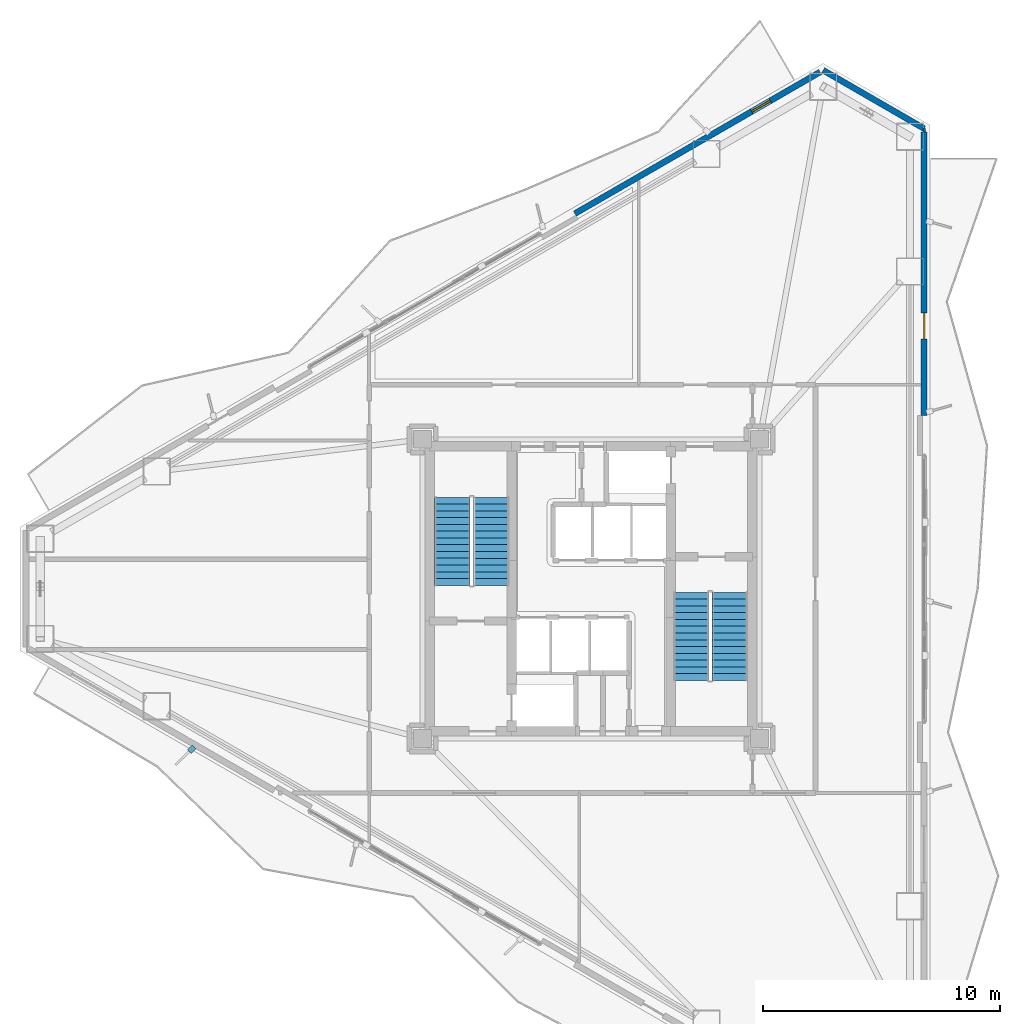
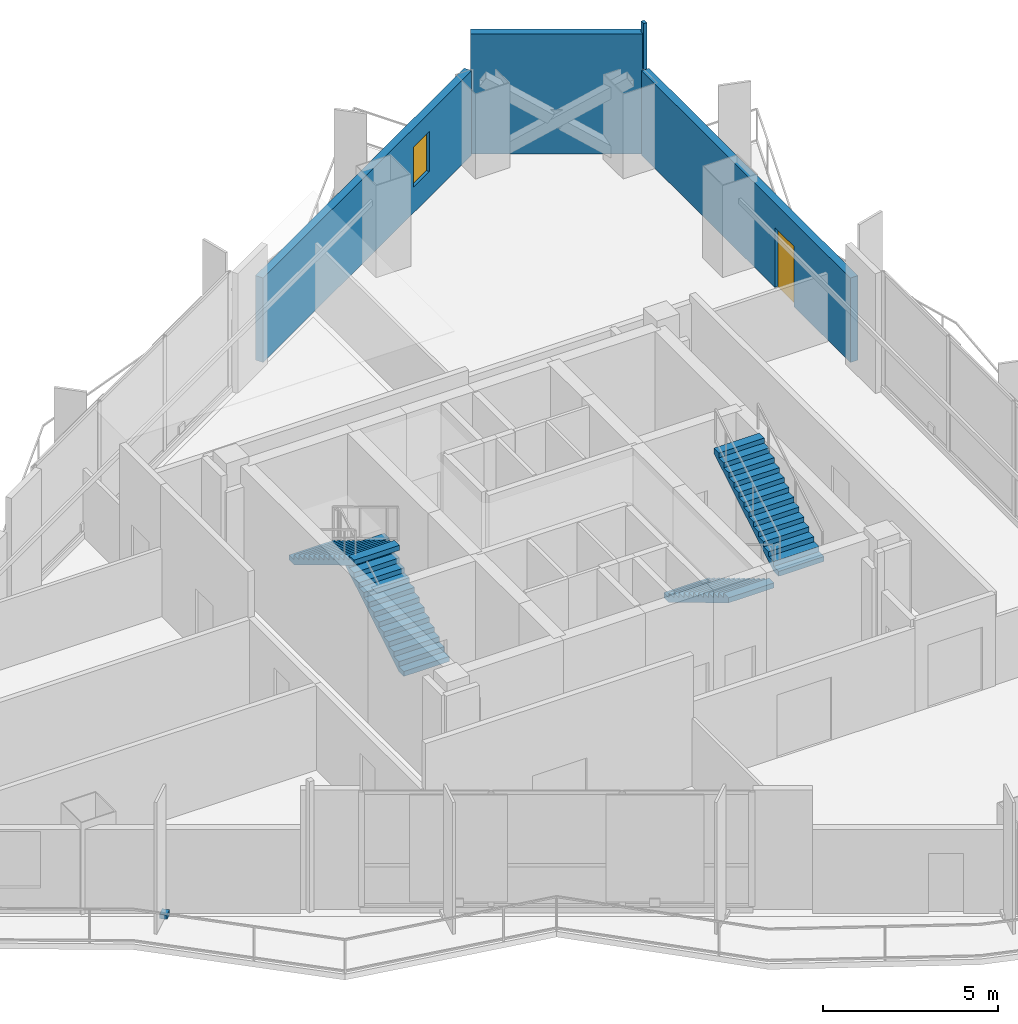
# One storey, part 17 of 20: 4 stair flights, 4 walls, 1 discrete accessory, 1 door, 1 window, 2 openings, 2 elements without a shape of their own.
"""IFC4 building model written with IfcOpenShell, lengths in metres."""

import ifcopenshell
import ifcopenshell.guid

model = None  # the IFC model being written
_history = None  # IfcOwnerHistory: only IFC2X3 demands one
_inside = {}  # id of a spatial element -> (the spatial element, [elements in it])
_under = {}  # id of a project, library or spatial element -> (it, [spatial elements below it])
_declared = {}  # id of a project -> (the project, [libraries it declares])
_typed = {}  # id of a type object -> (the type object, [elements of that type])
_made_of = {}  # id of a material, layer set ... -> (it, [elements and type objects made of it])


def new_model(schema):
    """Start an empty IFC model of exactly this schema.

    Asked for "IFC4X3", IfcOpenShell would pick the latest addendum, in which some entities
    have other attributes; the version numbers below select the first issue.
    IFC2X3 requires an IfcOwnerHistory on every rooted entity: one is made here for all.
    """
    global model, _history
    if schema == "IFC4X3":
        model = ifcopenshell.file(schema_version=(4, 3, 0, 0))
    else:
        model = ifcopenshell.file(schema=schema)
    _inside.clear()
    _under.clear()
    _declared.clear()
    _typed.clear()
    _made_of.clear()
    _history = None
    if model.schema == "IFC2X3":
        org = make("IfcOrganization", Name="unknown")
        user = make(
            "IfcPersonAndOrganization",
            ThePerson=make("IfcPerson", FamilyName="unknown"),
            TheOrganization=org,
        )
        app = make(
            "IfcApplication",
            ApplicationDeveloper=org,
            Version="unknown",
            ApplicationFullName="unknown",
            ApplicationIdentifier="unknown",
        )
        _history = make(
            "IfcOwnerHistory",
            OwningUser=user,
            OwningApplication=app,
            ChangeAction="ADDED",
            CreationDate=0,
        )
    return model


def make(cls, **values):
    """One entity of the class cls with the attributes given. An attribute that is None is left unset."""
    return model.create_entity(
        cls, **{name: value for name, value in values.items() if value is not None}
    )


def rooted(cls, **values):
    """An entity with a GlobalId (a new one), such as an element, a storey or a relation."""
    return make(cls, GlobalId=ifcopenshell.guid.new(), OwnerHistory=_history, **values)


def si_unit(unit_type, name, prefix=None):
    """IfcSIUnit, for example si_unit("LENGTHUNIT", "METRE", prefix="MILLI")."""
    return make("IfcSIUnit", UnitType=unit_type, Prefix=prefix, Name=name)


def assignment(units):
    """IfcUnitAssignment: the units of a project."""
    return None if units is None else make("IfcUnitAssignment", Units=units)


def point(xyz):
    """IfcCartesianPoint."""
    return None if xyz is None else make("IfcCartesianPoint", Coordinates=xyz)


def direction(xyz):
    """IfcDirection."""
    return None if xyz is None else make("IfcDirection", DirectionRatios=xyz)


def frame(location, z_axis=None, x_axis=None):
    """IfcAxis2Placement3D, a coordinate frame: its origin and axes. An axis left out is left unset."""
    return make(
        "IfcAxis2Placement3D",
        Location=point(location),
        Axis=direction(z_axis),
        RefDirection=direction(x_axis),
    )


def frame_2d(location, x_axis=None):
    """IfcAxis2Placement2D, a coordinate frame in the plane: its origin and x axis."""
    return make(
        "IfcAxis2Placement2D", Location=point(location), RefDirection=direction(x_axis)
    )


def origin():
    """The frame at (0, 0, 0) with its axes left unset."""
    return frame((0.0, 0.0, 0.0))


def origin_2d():
    """The frame at (0, 0) in the plane with its x axis left unset."""
    return frame_2d((0.0, 0.0))


def place(relative_to, where):
    """IfcLocalPlacement: puts the frame where relative to a parent placement (None: the world)."""
    return make(
        "IfcLocalPlacement", PlacementRelTo=relative_to, RelativePlacement=where
    )


def context(
    kind, dimensions, precision=None, world=None, true_north=None, identifier=None
):
    """IfcGeometricRepresentationContext, for example the 3D "Model" context."""
    return make(
        "IfcGeometricRepresentationContext",
        ContextIdentifier=identifier,
        ContextType=kind,
        CoordinateSpaceDimension=dimensions,
        Precision=precision,
        WorldCoordinateSystem=world,
        TrueNorth=true_north,
    )


def subcontext(parent, identifier, kind, view, scale=None):
    """IfcGeometricRepresentationSubContext, for example "Body" below "Model"."""
    return make(
        "IfcGeometricRepresentationSubContext",
        ContextIdentifier=identifier,
        ContextType=kind,
        ParentContext=parent,
        TargetScale=scale,
        TargetView=view,
    )


def project(units=None, contexts=None):
    """IfcProject with its units and contexts."""
    return rooted(
        "IfcProject",
        Name="project",
        RepresentationContexts=contexts,
        UnitsInContext=assignment(units),
    )


def spatial(cls, under=None, at=None, **own):
    """A site, building, storey or space (cls), placed at a placement, below another one or the project."""
    s = rooted(cls, ObjectPlacement=at, **own)
    if under is not None:
        _under.setdefault(under.id(), (under, []))[1].append(s)
    return s


def polyline(points):
    """IfcPolyline through the points."""
    return make("IfcPolyline", Points=[point(p) for p in points])


def profile(cls, at=None, kind="AREA", **sizes):
    """A parametric profile (cls). Its sizes go by their IFC names, for example OverallWidth=200.0."""
    return make(cls, ProfileType=kind, Position=at, **sizes)


def rectangle(**sizes):
    """IfcRectangleProfileDef."""
    return profile("IfcRectangleProfileDef", **sizes)


def outline(outer, holes=None, kind="AREA"):
    """IfcArbitraryClosedProfileDef: a profile drawn as a closed curve; with holes, ...WithVoids."""
    if holes is None:
        return make("IfcArbitraryClosedProfileDef", ProfileType=kind, OuterCurve=outer)
    return make(
        "IfcArbitraryProfileDefWithVoids",
        ProfileType=kind,
        OuterCurve=outer,
        InnerCurves=holes,
    )


def extrude(swept, where, along, depth):
    """IfcExtrudedAreaSolid: the profile swept, set in the frame where, extruded along a direction by depth."""
    return make(
        "IfcExtrudedAreaSolid",
        SweptArea=swept,
        Position=where,
        ExtrudedDirection=direction(along),
        Depth=depth,
    )


def shape(context_of_items, identifier, shape_type, items):
    """IfcShapeRepresentation: the items that make up one representation, for example the "Body"."""
    return make(
        "IfcShapeRepresentation",
        ContextOfItems=context_of_items,
        RepresentationIdentifier=identifier,
        RepresentationType=shape_type,
        Items=items,
    )


def material(Name=None, Category=None):
    """IfcMaterial."""
    return make("IfcMaterial", Name=Name, Category=Category)


def layer(
    of_material, thickness, ventilated=None, Name=None, Category=None, Priority=None
):
    """IfcMaterialLayer: one layer of a wall or slab, of a material (None: an air gap)."""
    return make(
        "IfcMaterialLayer",
        Material=of_material,
        LayerThickness=thickness,
        IsVentilated=ventilated,
        Name=Name,
        Category=Category,
        Priority=Priority,
    )


def layer_set(layers, Name=None):
    """IfcMaterialLayerSet."""
    return make("IfcMaterialLayerSet", MaterialLayers=layers, LayerSetName=Name)


def made_of(thing, what):
    """Note that an element or type object is made of a material, layer set ...; save() writes the relation."""
    if what is not None:
        _made_of.setdefault(what.id(), (what, []))[1].append(thing)
    return thing


def type_object(cls, material=None, **own):
    """A type object (cls), such as IfcWallType, which elements share."""
    return made_of(rooted(cls, **own), material)


def element(
    cls,
    number,
    at=None,
    inside=None,
    cuts=None,
    type_object=None,
    material=None,
    context=None,
    identifier="Body",
    shape_type=None,
    held_by="IfcProductDefinitionShape",
    body=None,
    shapes=None,
    **own,
):
    """One element of the class cls, such as IfcWall. Its Tag is "e" and its number.

    at: its placement. inside: the storey or other place that contains it. cuts: it is an
    opening in that element (IfcRelVoidsElement). A single representation is given by context,
    identifier, shape_type and body (its items); several are given by shapes. held_by: the class
    of the entity that holds the representations. save() writes the other relations.
    """
    e = rooted(cls, Tag="e%d" % number, ObjectPlacement=at, **own)
    if body is not None:
        shapes = [shape(context, identifier, shape_type, body)]
    if shapes is not None:
        e.Representation = make(held_by, Representations=shapes)
    if inside is not None:
        _inside.setdefault(inside.id(), (inside, []))[1].append(e)
    if cuts is not None:
        rooted(
            "IfcRelVoidsElement", RelatingBuildingElement=cuts, RelatedOpeningElement=e
        )
    if type_object is not None:
        _typed.setdefault(type_object.id(), (type_object, []))[1].append(e)
    return made_of(e, material)


def fill(opening, filler):
    """IfcRelFillsElement: the door or window that sits in an opening."""
    return rooted(
        "IfcRelFillsElement",
        RelatingOpeningElement=opening,
        RelatedBuildingElement=filler,
    )


def aggregate(whole, parts):
    """IfcRelAggregates: a whole, such as a stair, and the parts it consists of."""
    return rooted("IfcRelAggregates", RelatingObject=whole, RelatedObjects=parts)


def save(model, path):
    """Write the relations noted so far, then the file.

    IfcRelAggregates (storeys below a building ...), IfcRelContainedInSpatialStructure (elements
    in a storey), IfcRelDefinesByType, IfcRelAssociatesMaterial and IfcRelDeclares: one each for
    every whole, place, type object, material and project.
    """
    for whole, parts in _under.values():
        aggregate(whole, parts)
    for where, things in _inside.values():
        rooted(
            "IfcRelContainedInSpatialStructure",
            RelatedElements=things,
            RelatingStructure=where,
        )
    for kind, things in _typed.values():
        rooted("IfcRelDefinesByType", RelatedObjects=things, RelatingType=kind)
    for what, things in _made_of.values():
        rooted("IfcRelAssociatesMaterial", RelatedObjects=things, RelatingMaterial=what)
    for by, libraries in _declared.values():
        rooted("IfcRelDeclares", RelatingContext=by, RelatedDefinitions=libraries)
    model.write(path)


model = new_model("IFC4")

# Units and contexts
model_context = context("Model", 3, precision=1e-05, world=origin(), true_north=direction((0.0, 1.0)))
body_context = subcontext(model_context, "Body", "Model", "MODEL_VIEW")
ifc_project = project(units=[si_unit("LENGTHUNIT", "METRE"), si_unit("AREAUNIT", "SQUARE_METRE"), si_unit("VOLUMEUNIT", "CUBIC_METRE"), si_unit("PLANEANGLEUNIT", "RADIAN"), si_unit("MASSUNIT", "GRAM", prefix="KILO")], contexts=[model_context])

# Site, building, storey
site_placement = place(None, origin())
site = spatial("IfcSite", under=ifc_project, at=site_placement, CompositionType="ELEMENT")
building_placement = place(site_placement, origin())
building = spatial("IfcBuilding", under=site, at=building_placement, Name="Mersakhor Tower and Convention Hall", CompositionType="ELEMENT")
storey_placement = place(building_placement, frame((0.0, 0.0, 116.39990234375)))
storey = spatial("IfcBuildingStorey", under=building, at=storey_placement, Name="L32", CompositionType="ELEMENT", Elevation=116.39990234375)

# Wall
ifc_material_1 = material(Name="Precast concrete C40/50", Category="concrete")
ifc_layer_1 = layer(ifc_material_1, 0.25)
ifc_layer_set_1 = layer_set([ifc_layer_1], Name="Precast concrete C40/50")
wall_type_1 = type_object("IfcWallType", Name="WL-EXT-250", PredefinedType="SOLIDWALL", material=ifc_layer_set_1)
wall_1_placement = place(storey_placement, frame((38.77880859375, 48.6015625, 0.0), z_axis=(0.0, 0.0, 1.0), x_axis=(0.866011848704, -0.500023477353, 0.0)))
element("IfcWall", 1, at=wall_1_placement, inside=storey, type_object=wall_type_1, Name="L32 Chamfer Braced Spandrel Wall C1", PredefinedType="SOLIDWALL", context=body_context, shape_type="SweptSolid", body=[
    extrude(rectangle(XDim=4.914306640625, YDim=0.25, at=frame_2d((2.45703125, 0.0))), origin(), (0.0, 0.0, 1.0), 4.18017578125),
])

# Wall, opening, window
wall_2_placement = place(storey_placement, frame((28.3173828125, 42.561767578125, 0.0), z_axis=(0.0, 0.0, 1.0), x_axis=(0.866023023012, 0.500004123596, 0.0)))
wall_2 = element("IfcWall", 2, at=wall_2_placement, inside=storey, type_object=wall_type_1, Name="L32 Exterior Facade Wall F1-B3", PredefinedType="SOLIDWALL", context=body_context, shape_type="SweptSolid", body=[
    extrude(rectangle(XDim=11.9296875, YDim=0.25, at=frame_2d((5.96484375, 0.0))), origin(), (0.0, 0.0, 1.0), 2.945068359375),
])
opening_1_placement = place(wall_2_placement, frame((8.60302734375, 0.0, 0.89990234375)))
opening_1 = element("IfcOpeningElement", 3, at=opening_1_placement, cuts=wall_2, Name="Opening W-06", PredefinedType="OPENING", context=body_context, shape_type="SweptSolid", body=[
    extrude(rectangle(XDim=0.89990234375, YDim=1.39990234375, at=frame_2d((0.449951171875, 0.699951171875))), frame((0.0, 0.135009765625, 0.0), z_axis=(0.0, -1.0, 0.0), x_axis=(1.0, 0.0, 0.0)), (0.0, 0.0, 1.0), 0.27001953125),
])
ifc_material_2 = material(Name="Dark solar low-E glazed aluminium window", Category="aluminium")
window_type = type_object("IfcWindowType", Name="WN-STD-090x140", PartitioningType="SINGLE_PANEL", PredefinedType="WINDOW", material=ifc_material_2)
window_placement = place(opening_1_placement, origin())
window = element("IfcWindow", 4, at=window_placement, inside=storey, type_object=window_type, Name="L32 Facade Punched Window F1-B3", OverallHeight=1.39990234375, OverallWidth=0.89990234375, PartitioningType="SINGLE_PANEL", PredefinedType="WINDOW", context=body_context, shape_type="SweptSolid", body=[
    extrude(rectangle(XDim=0.89990234375, YDim=1.39990234375, at=frame_2d((0.449951171875, 0.699951171875))), frame((0.0, 0.030029296875, 0.0), z_axis=(0.0, -1.0, 0.0), x_axis=(1.0, 0.0, 0.0)), (0.0, 0.0, 1.0), 0.06005859375),
])
fill(opening_1, window)

# Wall, opening, door
wall_3_placement = place(storey_placement, frame((43.03466796875, 45.994384765625, 0.0), z_axis=(0.0, 0.0, 1.0), x_axis=(0.0, -1.0, 0.0)))
wall_3 = element("IfcWall", 5, at=wall_3_placement, inside=storey, type_object=wall_type_1, Name="L32 Exterior Facade Wall F2-B1", PredefinedType="SOLIDWALL", context=body_context, shape_type="SweptSolid", body=[
    extrude(rectangle(XDim=11.9296875, YDim=0.25, at=frame_2d((5.96484375, 0.0))), origin(), (0.0, 0.0, 1.0), 2.945068359375),
])
opening_2_placement = place(wall_3_placement, frame((7.615966796875, 0.0, 0.0)))
opening_2 = element("IfcOpeningElement", 6, at=opening_2_placement, cuts=wall_3, Name="Opening BD-02", PredefinedType="OPENING", context=body_context, shape_type="SweptSolid", body=[
    extrude(rectangle(XDim=1.10009765625, YDim=2.10009765625, at=frame_2d((0.550048828125, 1.050048828125))), frame((0.0, 0.135009765625, 0.0), z_axis=(0.0, -1.0, 0.0), x_axis=(1.0, 0.0, 0.0)), (0.0, 0.0, 1.0), 0.27001953125),
])
ifc_material_3 = material(Name="Thermally broken dark aluminium and safety glass", Category="aluminium")
door_type = type_object("IfcDoorType", Name="DR-BAL-110x210", OperationType="NOTDEFINED", PredefinedType="DOOR", material=ifc_material_3)
door_placement = place(opening_2_placement, origin())
door = element("IfcDoor", 7, at=door_placement, inside=storey, type_object=door_type, Name="L32 Balcony Terrace Door F2-B1", OperationType="SINGLE_SWING_RIGHT", OverallHeight=2.10009765625, OverallWidth=1.10009765625, PredefinedType="DOOR", context=body_context, shape_type="SweptSolid", body=[
    extrude(rectangle(XDim=1.10009765625, YDim=2.10009765625, at=frame_2d((0.550048828125, 1.050048828125))), frame((0.0, 0.02490234375, 0.0), z_axis=(0.0, -1.0, 0.0), x_axis=(1.0, 0.0, 0.0)), (0.0, 0.0, 1.0), 0.050048828125),
])
fill(opening_2, door)

# Wall
ifc_material_4 = material(Name="Lightweight gypsum partition", Category="other")
ifc_layer_2 = layer(ifc_material_4, 0.10009765625)
ifc_layer_set_2 = layer_set([ifc_layer_2], Name="Lightweight gypsum partition")
wall_type_2 = type_object("IfcWallType", Name="WL-PRT-100", PredefinedType="PARTITIONING", material=ifc_layer_set_2)
wall_4_placement = place(storey_placement, frame((43.034912109375, 46.14404296875, 0.0), z_axis=(0.0, 0.0, 1.0), x_axis=(0.0, -1.0, 0.0)))
element("IfcWall", 8, at=wall_4_placement, inside=storey, type_object=wall_type_2, Name="L32 Interior Partition Wall P-060", PredefinedType="PARTITIONING", context=body_context, shape_type="SweptSolid", body=[
    extrude(rectangle(XDim=0.149658203125, YDim=0.10009765625, at=frame_2d((0.07470703125, 0.0))), origin(), (0.0, 0.0, 1.0), 4.56005859375),
])

# Stair, stair flights
ifc_material_5 = material(Name="Concrete C45/55", Category="concrete")
stair_type = type_object("IfcStairType", Name="ST-TWR-28R", PredefinedType="HALF_TURN_STAIR", material=ifc_material_5)
stair_1_placement = place(storey_placement, origin())
stair_1 = element("IfcStair", 9, at=stair_1_placement, inside=storey, type_object=stair_type, Name="L32 Tower Protected Exit Stair ST-1", PredefinedType="HALF_TURN_STAIR")
ifc_material_6 = material(Name="Concrete C45/55", Category="concrete")
stair_flight_type = type_object("IfcStairFlightType", Name="SFL-TWR-28R", PredefinedType="STRAIGHT", material=ifc_material_6)
stair_flight_1_placement = place(storey_placement, frame((24.800048828125, 26.89990234375, 0.0), z_axis=(0.0, 0.0, 1.0), x_axis=(0.0, 1.0, 0.0)))
stair_flight_1 = element("IfcStairFlight", 10, at=stair_flight_1_placement, type_object=stair_flight_type, Name="ST-1 flight 1", NumberOfRisers=14, NumberOfTreads=13, PredefinedType="STRAIGHT", RiserHeight=0.171428571, TreadLength=0.285, context=body_context, shape_type="SweptSolid", body=[
    extrude(outline(polyline([(0.0, 0.0), (0.0, 0.17138671875), (0.284912109375, 0.17138671875), (0.284912109375, 0.3427734375), (0.570068359375, 0.3427734375), (0.570068359375, 0.514404296875), (0.85498046875, 0.514404296875), (0.85498046875, 0.685791015625), (1.139892578125, 0.685791015625), (1.139892578125, 0.857177734375), (1.425048828125, 0.857177734375), (1.425048828125, 1.028564453125), (1.7099609375, 1.028564453125), (1.7099609375, 1.199951171875), (1.9951171875, 1.199951171875), (1.9951171875, 1.371337890625), (2.280029296875, 1.371337890625), (2.280029296875, 1.54296875), (2.56494140625, 1.54296875), (2.56494140625, 1.71435546875), (2.85009765625, 1.71435546875), (2.85009765625, 1.8857421875), (3.135009765625, 1.8857421875), (3.135009765625, 2.05712890625), (3.419921875, 2.05712890625), (3.419921875, 2.228515625), (3.705078125, 2.228515625), (3.705078125, 2.39990234375), (3.705078125, 2.0537109375), (0.290771484375, 0.0), (0.0, 0.0)])), frame((0.0, 0.75, 0.0), z_axis=(0.0, -1.0, 0.0), x_axis=(1.0, 0.0, 0.0)), (0.0, 0.0, 1.0), 1.5),
])
stair_flight_2_placement = place(storey_placement, frame((23.14990234375, 30.60498046875, 2.400146484375), z_axis=(0.0, 0.0, 1.0), x_axis=(0.0, -1.0, 0.0)))
stair_flight_2 = element("IfcStairFlight", 11, at=stair_flight_2_placement, type_object=stair_flight_type, Name="ST-1 flight 2", NumberOfRisers=14, NumberOfTreads=13, PredefinedType="STRAIGHT", RiserHeight=0.171428571, TreadLength=0.285, context=body_context, shape_type="SweptSolid", body=[
    extrude(outline(polyline([(0.0, 0.0), (0.0, 0.17138671875), (0.284912109375, 0.17138671875), (0.284912109375, 0.3427734375), (0.570068359375, 0.3427734375), (0.570068359375, 0.514404296875), (0.85498046875, 0.514404296875), (0.85498046875, 0.685791015625), (1.139892578125, 0.685791015625), (1.139892578125, 0.857177734375), (1.425048828125, 0.857177734375), (1.425048828125, 1.028564453125), (1.7099609375, 1.028564453125), (1.7099609375, 1.199951171875), (1.9951171875, 1.199951171875), (1.9951171875, 1.371337890625), (2.280029296875, 1.371337890625), (2.280029296875, 1.54296875), (2.56494140625, 1.54296875), (2.56494140625, 1.71435546875), (2.85009765625, 1.71435546875), (2.85009765625, 1.8857421875), (3.135009765625, 1.8857421875), (3.135009765625, 2.05712890625), (3.419921875, 2.05712890625), (3.419921875, 2.228515625), (3.705078125, 2.228515625), (3.705078125, 2.39990234375), (3.705078125, 2.0537109375), (0.290771484375, 0.0), (0.0, 0.0)])), frame((0.0, 0.75, 0.0), z_axis=(0.0, -1.0, 0.0), x_axis=(1.0, 0.0, 0.0)), (0.0, 0.0, 1.0), 1.5),
])
aggregate(stair_1, [stair_flight_1, stair_flight_2])

stair_2_placement = place(storey_placement, origin())
stair_2 = element("IfcStair", 12, at=stair_2_placement, inside=storey, type_object=stair_type, Name="L32 Tower Protected Exit Stair ST-2", PredefinedType="HALF_TURN_STAIR")
stair_flight_3_placement = place(storey_placement, frame((33.199951171875, 26.60009765625, 0.0), z_axis=(0.0, 0.0, 1.0), x_axis=(0.0, -1.0, 0.0)))
stair_flight_3 = element("IfcStairFlight", 13, at=stair_flight_3_placement, type_object=stair_flight_type, Name="ST-2 flight 1", NumberOfRisers=14, NumberOfTreads=13, PredefinedType="STRAIGHT", RiserHeight=0.171428571, TreadLength=0.285, context=body_context, shape_type="SweptSolid", body=[
    extrude(outline(polyline([(0.0, 0.0), (0.0, 0.17138671875), (0.284912109375, 0.17138671875), (0.284912109375, 0.3427734375), (0.570068359375, 0.3427734375), (0.570068359375, 0.514404296875), (0.85498046875, 0.514404296875), (0.85498046875, 0.685791015625), (1.139892578125, 0.685791015625), (1.139892578125, 0.857177734375), (1.425048828125, 0.857177734375), (1.425048828125, 1.028564453125), (1.7099609375, 1.028564453125), (1.7099609375, 1.199951171875), (1.9951171875, 1.199951171875), (1.9951171875, 1.371337890625), (2.280029296875, 1.371337890625), (2.280029296875, 1.54296875), (2.56494140625, 1.54296875), (2.56494140625, 1.71435546875), (2.85009765625, 1.71435546875), (2.85009765625, 1.8857421875), (3.135009765625, 1.8857421875), (3.135009765625, 2.05712890625), (3.419921875, 2.05712890625), (3.419921875, 2.228515625), (3.705078125, 2.228515625), (3.705078125, 2.39990234375), (3.705078125, 2.0537109375), (0.290771484375, 0.0), (0.0, 0.0)])), frame((0.0, 0.75, 0.0), z_axis=(0.0, -1.0, 0.0), x_axis=(1.0, 0.0, 0.0)), (0.0, 0.0, 1.0), 1.5),
])
stair_flight_4_placement = place(storey_placement, frame((34.85009765625, 22.89501953125, 2.400146484375), z_axis=(0.0, 0.0, 1.0), x_axis=(0.0, 1.0, 0.0)))
stair_flight_4 = element("IfcStairFlight", 14, at=stair_flight_4_placement, type_object=stair_flight_type, Name="ST-2 flight 2", NumberOfRisers=14, NumberOfTreads=13, PredefinedType="STRAIGHT", RiserHeight=0.171428571, TreadLength=0.285, context=body_context, shape_type="SweptSolid", body=[
    extrude(outline(polyline([(0.0, 0.0), (0.0, 0.17138671875), (0.284912109375, 0.17138671875), (0.284912109375, 0.3427734375), (0.570068359375, 0.3427734375), (0.570068359375, 0.514404296875), (0.85498046875, 0.514404296875), (0.85498046875, 0.685791015625), (1.139892578125, 0.685791015625), (1.139892578125, 0.857177734375), (1.425048828125, 0.857177734375), (1.425048828125, 1.028564453125), (1.7099609375, 1.028564453125), (1.7099609375, 1.199951171875), (1.9951171875, 1.199951171875), (1.9951171875, 1.371337890625), (2.280029296875, 1.371337890625), (2.280029296875, 1.54296875), (2.56494140625, 1.54296875), (2.56494140625, 1.71435546875), (2.85009765625, 1.71435546875), (2.85009765625, 1.8857421875), (3.135009765625, 1.8857421875), (3.135009765625, 2.05712890625), (3.419921875, 2.05712890625), (3.419921875, 2.228515625), (3.705078125, 2.228515625), (3.705078125, 2.39990234375), (3.705078125, 2.0537109375), (0.290771484375, 0.0), (0.0, 0.0)])), frame((0.0, 0.75, 0.0), z_axis=(0.0, -1.0, 0.0), x_axis=(1.0, 0.0, 0.0)), (0.0, 0.0, 1.0), 1.5),
])
aggregate(stair_2, [stair_flight_3, stair_flight_4])

# Discrete accessory
ifc_material_7 = material(Name="Galvanised steel bracket", Category="steel")
ifc_layer_3 = layer(ifc_material_7, 0.02001953125)
ifc_layer_set_3 = layer_set([ifc_layer_3], Name="Galvanised steel bracket")
discrete_accessory_type = type_object("IfcDiscreteAccessoryType", Name="ACC-BRK-STL", PredefinedType="BRACKET", material=ifc_layer_set_3)
discrete_accessory_placement = place(storey_placement, frame((12.1728515625, 19.993896484375, -0.02001953125), z_axis=(0.0, 0.0, 1.0), x_axis=(-0.719339800339, -0.694658370459, 0.0)))
element("IfcDiscreteAccessory", 15, at=discrete_accessory_placement, inside=storey, type_object=discrete_accessory_type, Name="L32 Facade Fin Base Cleat Bracket FBRK-3-4", PredefinedType="BRACKET", context=body_context, shape_type="SweptSolid", body=[
    extrude(rectangle(XDim=0.280029296875, YDim=0.219970703125, at=origin_2d()), origin(), (0.0, 0.0, 1.0), 0.159912109375),
])

save(model, "model.ifc")
